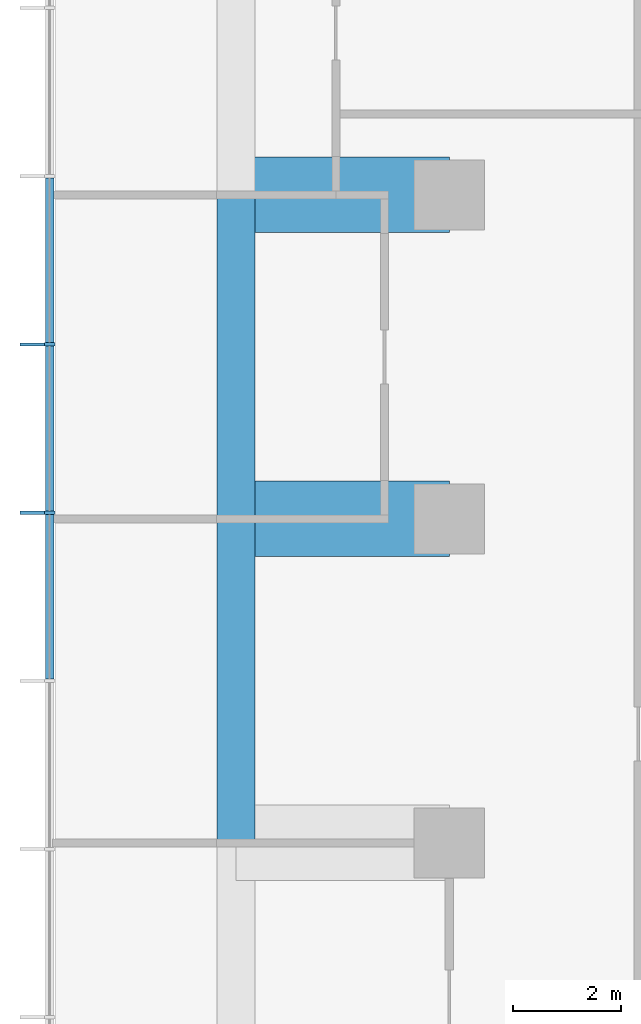
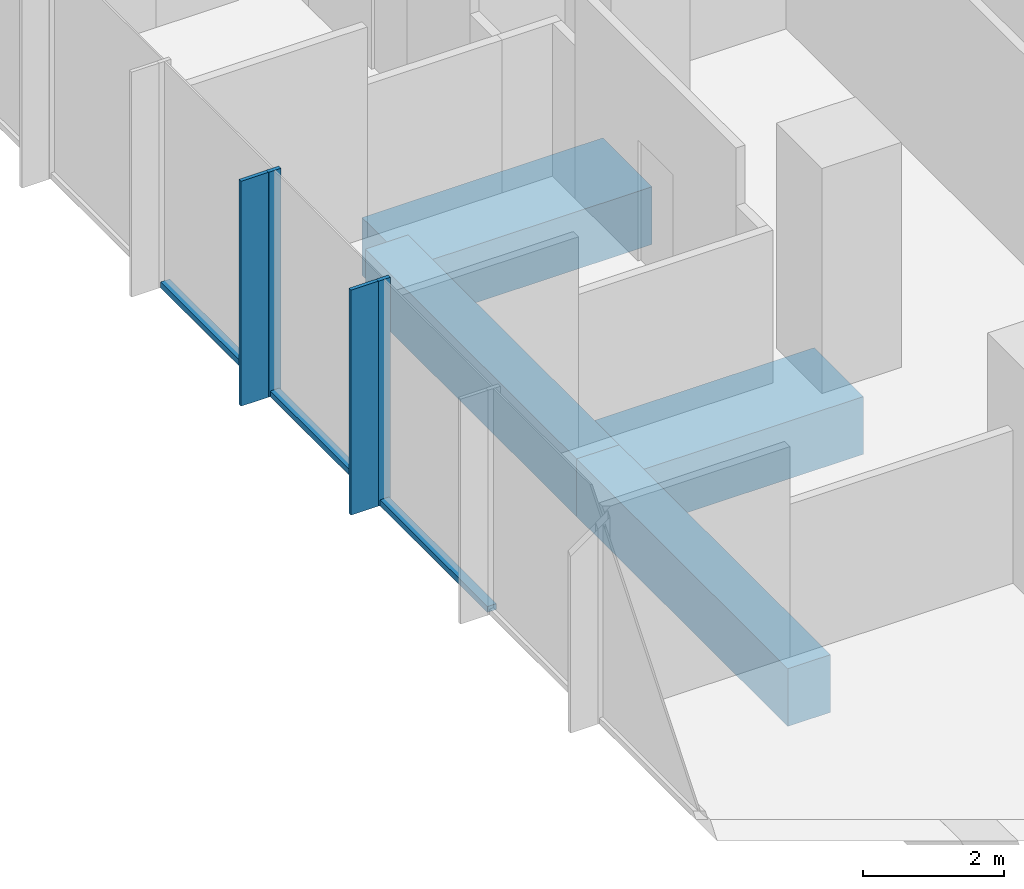
# One storey, part 3 of 12: 7 members, 4 beams, 1 element without a shape of its own.
"""IFC4 building model written with IfcOpenShell, lengths in metres."""

import ifcopenshell
import ifcopenshell.guid

model = None  # the IFC model being written
_history = None  # IfcOwnerHistory: only IFC2X3 demands one
_inside = {}  # id of a spatial element -> (the spatial element, [elements in it])
_under = {}  # id of a project, library or spatial element -> (it, [spatial elements below it])
_declared = {}  # id of a project -> (the project, [libraries it declares])
_typed = {}  # id of a type object -> (the type object, [elements of that type])
_made_of = {}  # id of a material, layer set ... -> (it, [elements and type objects made of it])


def new_model(schema):
    """Start an empty IFC model of exactly this schema.

    Asked for "IFC4X3", IfcOpenShell would pick the latest addendum, in which some entities
    have other attributes; the version numbers below select the first issue.
    IFC2X3 requires an IfcOwnerHistory on every rooted entity: one is made here for all.
    """
    global model, _history
    if schema == "IFC4X3":
        model = ifcopenshell.file(schema_version=(4, 3, 0, 0))
    else:
        model = ifcopenshell.file(schema=schema)
    _inside.clear()
    _under.clear()
    _declared.clear()
    _typed.clear()
    _made_of.clear()
    _history = None
    if model.schema == "IFC2X3":
        org = make("IfcOrganization", Name="unknown")
        user = make(
            "IfcPersonAndOrganization",
            ThePerson=make("IfcPerson", FamilyName="unknown"),
            TheOrganization=org,
        )
        app = make(
            "IfcApplication",
            ApplicationDeveloper=org,
            Version="unknown",
            ApplicationFullName="unknown",
            ApplicationIdentifier="unknown",
        )
        _history = make(
            "IfcOwnerHistory",
            OwningUser=user,
            OwningApplication=app,
            ChangeAction="ADDED",
            CreationDate=0,
        )
    return model


def make(cls, **values):
    """One entity of the class cls with the attributes given. An attribute that is None is left unset."""
    return model.create_entity(
        cls, **{name: value for name, value in values.items() if value is not None}
    )


def rooted(cls, **values):
    """An entity with a GlobalId (a new one), such as an element, a storey or a relation."""
    return make(cls, GlobalId=ifcopenshell.guid.new(), OwnerHistory=_history, **values)


def si_unit(unit_type, name, prefix=None):
    """IfcSIUnit, for example si_unit("LENGTHUNIT", "METRE", prefix="MILLI")."""
    return make("IfcSIUnit", UnitType=unit_type, Prefix=prefix, Name=name)


def assignment(units):
    """IfcUnitAssignment: the units of a project."""
    return None if units is None else make("IfcUnitAssignment", Units=units)


def point(xyz):
    """IfcCartesianPoint."""
    return None if xyz is None else make("IfcCartesianPoint", Coordinates=xyz)


def direction(xyz):
    """IfcDirection."""
    return None if xyz is None else make("IfcDirection", DirectionRatios=xyz)


def frame(location, z_axis=None, x_axis=None):
    """IfcAxis2Placement3D, a coordinate frame: its origin and axes. An axis left out is left unset."""
    return make(
        "IfcAxis2Placement3D",
        Location=point(location),
        Axis=direction(z_axis),
        RefDirection=direction(x_axis),
    )


def frame_2d(location, x_axis=None):
    """IfcAxis2Placement2D, a coordinate frame in the plane: its origin and x axis."""
    return make(
        "IfcAxis2Placement2D", Location=point(location), RefDirection=direction(x_axis)
    )


def origin():
    """The frame at (0, 0, 0) with its axes left unset."""
    return frame((0.0, 0.0, 0.0))


def origin_2d():
    """The frame at (0, 0) in the plane with its x axis left unset."""
    return frame_2d((0.0, 0.0))


def place(relative_to, where):
    """IfcLocalPlacement: puts the frame where relative to a parent placement (None: the world)."""
    return make(
        "IfcLocalPlacement", PlacementRelTo=relative_to, RelativePlacement=where
    )


def context(
    kind, dimensions, precision=None, world=None, true_north=None, identifier=None
):
    """IfcGeometricRepresentationContext, for example the 3D "Model" context."""
    return make(
        "IfcGeometricRepresentationContext",
        ContextIdentifier=identifier,
        ContextType=kind,
        CoordinateSpaceDimension=dimensions,
        Precision=precision,
        WorldCoordinateSystem=world,
        TrueNorth=true_north,
    )


def subcontext(parent, identifier, kind, view, scale=None):
    """IfcGeometricRepresentationSubContext, for example "Body" below "Model"."""
    return make(
        "IfcGeometricRepresentationSubContext",
        ContextIdentifier=identifier,
        ContextType=kind,
        ParentContext=parent,
        TargetScale=scale,
        TargetView=view,
    )


def project(units=None, contexts=None):
    """IfcProject with its units and contexts."""
    return rooted(
        "IfcProject",
        Name="project",
        RepresentationContexts=contexts,
        UnitsInContext=assignment(units),
    )


def spatial(cls, under=None, at=None, **own):
    """A site, building, storey or space (cls), placed at a placement, below another one or the project."""
    s = rooted(cls, ObjectPlacement=at, **own)
    if under is not None:
        _under.setdefault(under.id(), (under, []))[1].append(s)
    return s


def profile(cls, at=None, kind="AREA", **sizes):
    """A parametric profile (cls). Its sizes go by their IFC names, for example OverallWidth=200.0."""
    return make(cls, ProfileType=kind, Position=at, **sizes)


def rectangle(**sizes):
    """IfcRectangleProfileDef."""
    return profile("IfcRectangleProfileDef", **sizes)


def extrude(swept, where, along, depth):
    """IfcExtrudedAreaSolid: the profile swept, set in the frame where, extruded along a direction by depth."""
    return make(
        "IfcExtrudedAreaSolid",
        SweptArea=swept,
        Position=where,
        ExtrudedDirection=direction(along),
        Depth=depth,
    )


def shape(context_of_items, identifier, shape_type, items):
    """IfcShapeRepresentation: the items that make up one representation, for example the "Body"."""
    return make(
        "IfcShapeRepresentation",
        ContextOfItems=context_of_items,
        RepresentationIdentifier=identifier,
        RepresentationType=shape_type,
        Items=items,
    )


def material(Name=None, Category=None):
    """IfcMaterial."""
    return make("IfcMaterial", Name=Name, Category=Category)


def layer(
    of_material, thickness, ventilated=None, Name=None, Category=None, Priority=None
):
    """IfcMaterialLayer: one layer of a wall or slab, of a material (None: an air gap)."""
    return make(
        "IfcMaterialLayer",
        Material=of_material,
        LayerThickness=thickness,
        IsVentilated=ventilated,
        Name=Name,
        Category=Category,
        Priority=Priority,
    )


def layer_set(layers, Name=None):
    """IfcMaterialLayerSet."""
    return make("IfcMaterialLayerSet", MaterialLayers=layers, LayerSetName=Name)


def material_profile(
    of_material, cross_section, Name=None, Category=None, Priority=None
):
    """IfcMaterialProfile: a cross section and its material."""
    return make(
        "IfcMaterialProfile",
        Name=Name,
        Material=of_material,
        Profile=cross_section,
        Priority=Priority,
        Category=Category,
    )


def profile_set(profiles, Name=None, composite=None):
    """IfcMaterialProfileSet."""
    return make(
        "IfcMaterialProfileSet",
        Name=Name,
        MaterialProfiles=profiles,
        CompositeProfile=composite,
    )


def made_of(thing, what):
    """Note that an element or type object is made of a material, layer set ...; save() writes the relation."""
    if what is not None:
        _made_of.setdefault(what.id(), (what, []))[1].append(thing)
    return thing


def type_object(cls, material=None, **own):
    """A type object (cls), such as IfcWallType, which elements share."""
    return made_of(rooted(cls, **own), material)


def element(
    cls,
    number,
    at=None,
    inside=None,
    cuts=None,
    type_object=None,
    material=None,
    context=None,
    identifier="Body",
    shape_type=None,
    held_by="IfcProductDefinitionShape",
    body=None,
    shapes=None,
    **own,
):
    """One element of the class cls, such as IfcWall. Its Tag is "e" and its number.

    at: its placement. inside: the storey or other place that contains it. cuts: it is an
    opening in that element (IfcRelVoidsElement). A single representation is given by context,
    identifier, shape_type and body (its items); several are given by shapes. held_by: the class
    of the entity that holds the representations. save() writes the other relations.
    """
    e = rooted(cls, Tag="e%d" % number, ObjectPlacement=at, **own)
    if body is not None:
        shapes = [shape(context, identifier, shape_type, body)]
    if shapes is not None:
        e.Representation = make(held_by, Representations=shapes)
    if inside is not None:
        _inside.setdefault(inside.id(), (inside, []))[1].append(e)
    if cuts is not None:
        rooted(
            "IfcRelVoidsElement", RelatingBuildingElement=cuts, RelatedOpeningElement=e
        )
    if type_object is not None:
        _typed.setdefault(type_object.id(), (type_object, []))[1].append(e)
    return made_of(e, material)


def aggregate(whole, parts):
    """IfcRelAggregates: a whole, such as a stair, and the parts it consists of."""
    return rooted("IfcRelAggregates", RelatingObject=whole, RelatedObjects=parts)


def save(model, path):
    """Write the relations noted so far, then the file.

    IfcRelAggregates (storeys below a building ...), IfcRelContainedInSpatialStructure (elements
    in a storey), IfcRelDefinesByType, IfcRelAssociatesMaterial and IfcRelDeclares: one each for
    every whole, place, type object, material and project.
    """
    for whole, parts in _under.values():
        aggregate(whole, parts)
    for where, things in _inside.values():
        rooted(
            "IfcRelContainedInSpatialStructure",
            RelatedElements=things,
            RelatingStructure=where,
        )
    for kind, things in _typed.values():
        rooted("IfcRelDefinesByType", RelatedObjects=things, RelatingType=kind)
    for what, things in _made_of.values():
        rooted("IfcRelAssociatesMaterial", RelatedObjects=things, RelatingMaterial=what)
    for by, libraries in _declared.values():
        rooted("IfcRelDeclares", RelatingContext=by, RelatedDefinitions=libraries)
    model.write(path)


model = new_model("IFC4")

# Units and contexts
model_context = context("Model", 3, precision=1e-05, world=origin(), true_north=direction((0.0, 1.0)))
body_context = subcontext(model_context, "Body", "Model", "MODEL_VIEW")
ifc_project = project(units=[si_unit("LENGTHUNIT", "METRE"), si_unit("AREAUNIT", "SQUARE_METRE"), si_unit("VOLUMEUNIT", "CUBIC_METRE"), si_unit("PLANEANGLEUNIT", "RADIAN"), si_unit("MASSUNIT", "GRAM", prefix="KILO")], contexts=[model_context])

# Site, building, storey
site_placement = place(None, origin())
site = spatial("IfcSite", under=ifc_project, at=site_placement, CompositionType="ELEMENT")
building_placement = place(site_placement, origin())
building = spatial("IfcBuilding", under=site, at=building_placement, Name="Highveld Stack Headquarters", CompositionType="ELEMENT")
storey_placement = place(building_placement, frame((0.0, 0.0, 231.800048828125)))
storey = spatial("IfcBuildingStorey", under=building, at=storey_placement, Name="L57", CompositionType="ELEMENT", Elevation=231.800048828125)

# Beams
ifc_material_1 = material(Name="Concrete C60/75", Category="concrete")
ifc_material_profile_1 = material_profile(ifc_material_1, rectangle(XDim=1.39990234375, YDim=1.0, at=origin_2d()), Name="RC 1400x1000")
ifc_profile_set_1 = profile_set([ifc_material_profile_1], Name="Concrete C60/75")
beam_type_1 = type_object("IfcBeamType", Name="CANTILEVER RIB RC 1400x1000", PredefinedType="USERDEFINED", material=ifc_profile_set_1)
for number, where, z_axis, x_axis, name in (
    (1, (-12.0, 6.0, -0.75), (-1.0, 0.0, 0.0), (0.0, -1.0, 0.0), "Cantilever rib 4/F L57"),
    (2, (-12.0, 12.0, -0.75), (-1.0, 0.0, 0.0), (0.0, -1.0, 0.0), "Cantilever rib 4/G L57"),
):
    element("IfcBeam", number, at=place(storey_placement, frame(where, z_axis=z_axis, x_axis=x_axis)), inside=storey, type_object=beam_type_1, Name=name, ObjectType="CANTILEVER RIB", PredefinedType="USERDEFINED", context=body_context, shape_type="SweptSolid", body=[
        extrude(rectangle(XDim=1.39990234375, YDim=1.0, at=origin_2d()), origin(), (0.0, 0.0, 1.0), 3.949951171875),
    ])

# Curtain wall, members
ifc_material_2 = material(Name="Aluminium bronze anodised", Category="aluminium")
ifc_layer = layer(ifc_material_2, 0.199951171875)
ifc_layer_set = layer_set([ifc_layer], Name="Aluminium bronze anodised")
curtain_wall_type = type_object("IfcCurtainWallType", Name="CW1 TOWER UNITISED CURTAIN WALL", PredefinedType="NOTDEFINED", material=ifc_layer_set)
curtain_wall_placement = place(storey_placement, origin())
curtain_wall = element("IfcCurtainWall", 3, at=curtain_wall_placement, inside=storey, type_object=curtain_wall_type, Name="Curtain wall CW1 L57 W", PredefinedType="NOTDEFINED")
ifc_material_3 = material(Name="Aluminium bronze anodised", Category="aluminium")
ifc_material_profile_2 = material_profile(ifc_material_3, rectangle(XDim=0.449951171875, YDim=0.06005859375, at=origin_2d()), Name="FIN 450x60")
ifc_profile_set_2 = profile_set([ifc_material_profile_2], Name="Aluminium bronze anodised")
member_type_1 = type_object("IfcMemberType", Name="CW1 BRONZE FIN 450x60", PredefinedType="USERDEFINED", material=ifc_profile_set_2)
member_1_placement = place(storey_placement, frame((-19.72509765625, 9.23193359375, 0.0), z_axis=(0.0, 0.0, 1.0), x_axis=(1.0, 0.0, 0.0)))
member_1 = element("IfcMember", 4, at=member_1_placement, type_object=member_type_1, Name="CW1 fin L57 4", ObjectType="FIN", PredefinedType="USERDEFINED", context=body_context, shape_type="SweptSolid", body=[
    extrude(rectangle(XDim=0.449951171875, YDim=0.06005859375, at=origin_2d()), origin(), (0.0, 0.0, 1.0), 3.89990234375),
])
member_2_placement = place(storey_placement, frame((-19.72509765625, 6.115966796875, 0.0), z_axis=(0.0, 0.0, 1.0), x_axis=(1.0, 0.0, 0.0)))
member_2 = element("IfcMember", 5, at=member_2_placement, type_object=member_type_1, Name="CW1 fin L57 5", ObjectType="FIN", PredefinedType="USERDEFINED", context=body_context, shape_type="SweptSolid", body=[
    extrude(rectangle(XDim=0.449951171875, YDim=0.06005859375, at=origin_2d()), origin(), (0.0, 0.0, 1.0), 3.89990234375),
])
ifc_material_4 = material(Name="Aluminium bronze anodised", Category="aluminium")
ifc_material_profile_3 = material_profile(ifc_material_4, rectangle(XDim=0.199951171875, YDim=0.06494140625, at=origin_2d()), Name="CW1 MULLION 65x200")
ifc_profile_set_3 = profile_set([ifc_material_profile_3], Name="Aluminium bronze anodised")
member_type_2 = type_object("IfcMemberType", Name="CW1 MULLION 65x200", PredefinedType="MULLION", material=ifc_profile_set_3)
member_3_placement = place(storey_placement, frame((-19.39990234375, 9.23193359375, 0.0), z_axis=(0.0, 0.0, 1.0), x_axis=(1.0, 0.0, 0.0)))
member_3 = element("IfcMember", 6, at=member_3_placement, type_object=member_type_2, Name="CW1 mullion L57 4", PredefinedType="MULLION", context=body_context, shape_type="SweptSolid", body=[
    extrude(rectangle(XDim=0.199951171875, YDim=0.06494140625, at=origin_2d()), origin(), (0.0, 0.0, 1.0), 3.89990234375),
])
member_4_placement = place(storey_placement, frame((-19.39990234375, 6.115966796875, 0.0), z_axis=(0.0, 0.0, 1.0), x_axis=(1.0, 0.0, 0.0)))
member_4 = element("IfcMember", 7, at=member_4_placement, type_object=member_type_2, Name="CW1 mullion L57 5", PredefinedType="MULLION", context=body_context, shape_type="SweptSolid", body=[
    extrude(rectangle(XDim=0.199951171875, YDim=0.06494140625, at=origin_2d()), origin(), (0.0, 0.0, 1.0), 3.89990234375),
])
ifc_material_5 = material(Name="Aluminium bronze anodised", Category="aluminium")
ifc_material_profile_4 = material_profile(ifc_material_5, rectangle(XDim=0.14990234375, YDim=0.10009765625, at=origin_2d()), Name="CW1 TRANSOM 150x100")
ifc_profile_set_4 = profile_set([ifc_material_profile_4], Name="Aluminium bronze anodised")
member_type_3 = type_object("IfcMemberType", Name="CW1 STACK TRANSOM 150x100", PredefinedType="USERDEFINED", material=ifc_profile_set_4)
member_5_placement = place(storey_placement, frame((-19.39990234375, 12.3154296875, 0.050048828125), z_axis=(0.0, -1.0, 0.0), x_axis=(1.0, 0.0, 0.0)))
member_5 = element("IfcMember", 8, at=member_5_placement, type_object=member_type_3, Name="CW1 transom L57 3.1", ObjectType="TRANSOM", PredefinedType="USERDEFINED", context=body_context, shape_type="SweptSolid", body=[
    extrude(rectangle(XDim=0.14990234375, YDim=0.10009765625, at=origin_2d()), origin(), (0.0, 0.0, 1.0), 3.051025390625),
])
member_6_placement = place(storey_placement, frame((-19.39990234375, 9.199462890625, 0.050048828125), z_axis=(0.0, -1.0, 0.0), x_axis=(1.0, 0.0, 0.0)))
member_6 = element("IfcMember", 9, at=member_6_placement, type_object=member_type_3, Name="CW1 transom L57 4.1", ObjectType="TRANSOM", PredefinedType="USERDEFINED", context=body_context, shape_type="SweptSolid", body=[
    extrude(rectangle(XDim=0.14990234375, YDim=0.10009765625, at=origin_2d()), origin(), (0.0, 0.0, 1.0), 3.051025390625),
])
member_7_placement = place(storey_placement, frame((-19.39990234375, 6.08349609375, 0.050048828125), z_axis=(0.0, -1.0, 0.0), x_axis=(1.0, 0.0, 0.0)))
member_7 = element("IfcMember", 10, at=member_7_placement, type_object=member_type_3, Name="CW1 transom L57 5.1", ObjectType="TRANSOM", PredefinedType="USERDEFINED", context=body_context, shape_type="SweptSolid", body=[
    extrude(rectangle(XDim=0.14990234375, YDim=0.10009765625, at=origin_2d()), origin(), (0.0, 0.0, 1.0), 3.051025390625),
])
aggregate(curtain_wall, [member_3, member_1, member_4, member_2, member_5, member_6, member_7])

# Beams
ifc_material_6 = material(Name="Concrete C60/75", Category="concrete")
ifc_material_profile_5 = material_profile(ifc_material_6, rectangle(XDim=0.699951171875, YDim=1.0, at=origin_2d()), Name="RC 700x1000")
ifc_profile_set_5 = profile_set([ifc_material_profile_5], Name="Concrete C60/75")
beam_type_2 = type_object("IfcBeamType", Name="RIB TIP BEAM RC 700x1000", PredefinedType="SPANDREL", material=ifc_profile_set_5)
for number, where, z_axis, x_axis, name in (
    (11, (-15.949951171875, 0.0, -0.75), (0.0, 1.0, 0.0), (-1.0, 0.0, 0.0), "Rib tip beam 4/E to 4/F L57"),
    (12, (-15.949951171875, 6.0, -0.75), (0.0, 1.0, 0.0), (-1.0, 0.0, 0.0), "Rib tip beam 4/F to 4/G L57"),
):
    element("IfcBeam", number, at=place(storey_placement, frame(where, z_axis=z_axis, x_axis=x_axis)), inside=storey, type_object=beam_type_2, Name=name, PredefinedType="SPANDREL", context=body_context, shape_type="SweptSolid", body=[
        extrude(rectangle(XDim=0.699951171875, YDim=1.0, at=origin_2d()), origin(), (0.0, 0.0, 1.0), 6.0),
    ])

save(model, "model.ifc")
